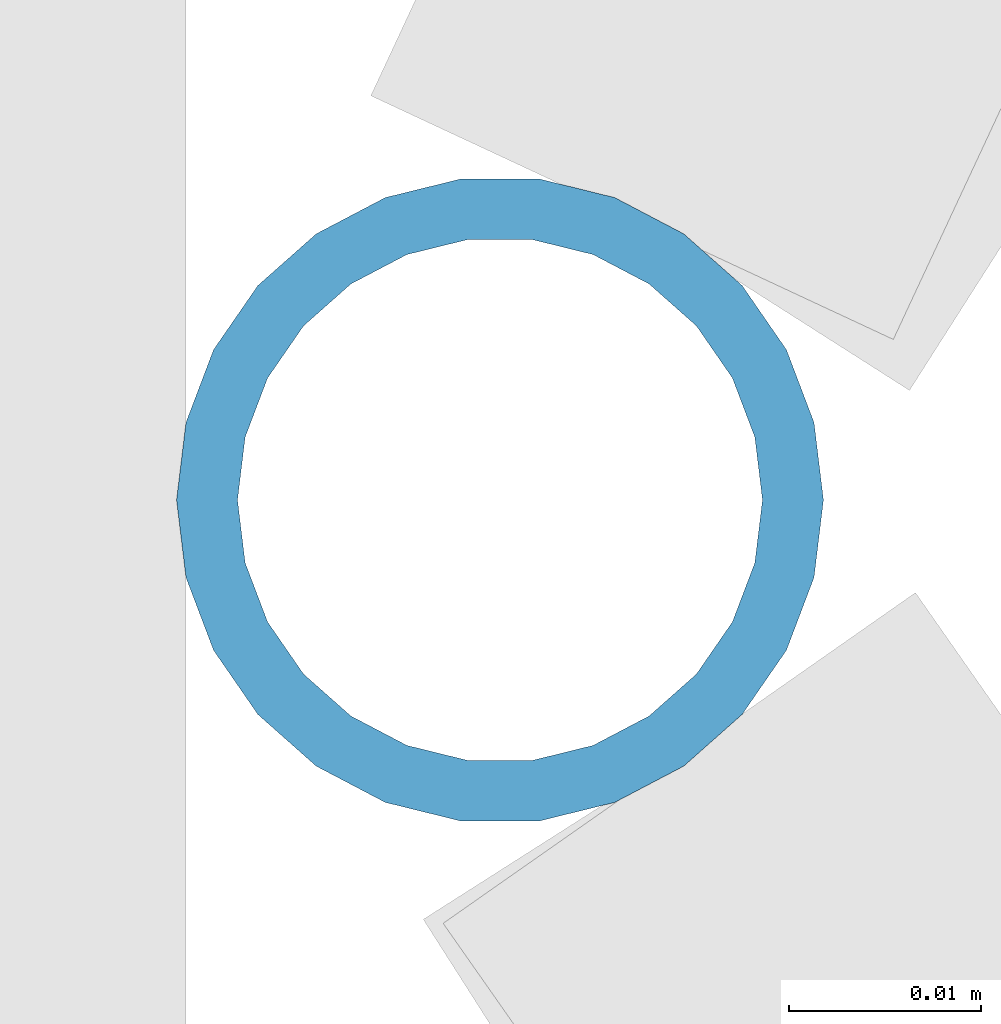
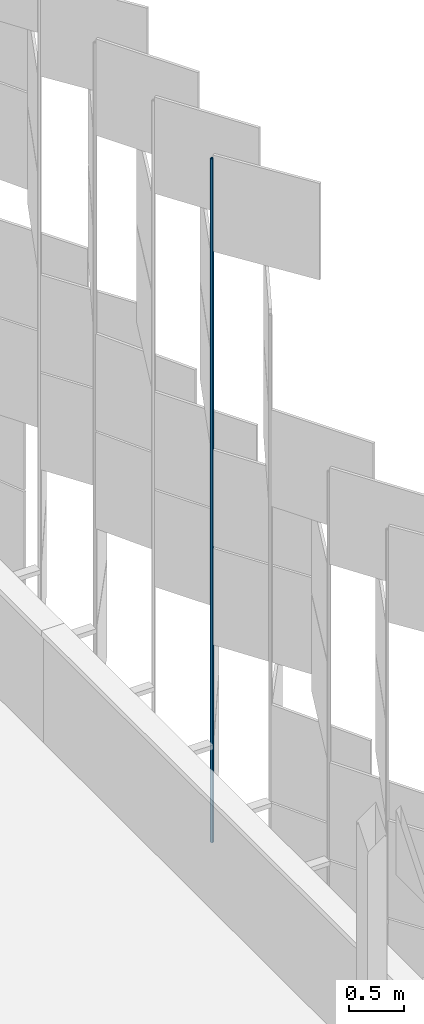
# One storey, part 272 of 483: 1 discrete accessory.
"""IFC4 building model written with IfcOpenShell, lengths in metres."""

from ifc_helpers import new_model, si_unit, direction, frame, origin, origin_2d, place, context, subcontext, project, spatial, hollow_circle, extrude, material, material_profile, profile_set, type_object, element, save


model = new_model("IFC4")

# Units and contexts
model_context = context("Model", 3, precision=1e-05, world=origin(), true_north=direction((0.0, 1.0)))
body_context = subcontext(model_context, "Body", "Model", "MODEL_VIEW")
ifc_project = project(units=[si_unit("LENGTHUNIT", "METRE"), si_unit("AREAUNIT", "SQUARE_METRE"), si_unit("VOLUMEUNIT", "CUBIC_METRE"), si_unit("PLANEANGLEUNIT", "RADIAN"), si_unit("MASSUNIT", "GRAM", prefix="KILO")], contexts=[model_context])

# Site, building, storey
site_placement = place(None, origin())
site = spatial("IfcSite", under=ifc_project, at=site_placement, CompositionType="ELEMENT")
building_placement = place(site_placement, origin())
building = spatial("IfcBuilding", under=site, at=building_placement, Name="Parallax Yard Mobility Hub", CompositionType="ELEMENT")
storey_placement = place(building_placement, frame((0.0, 0.0, 13.199951171875)))
storey = spatial("IfcBuildingStorey", under=building, at=storey_placement, Name="L04", CompositionType="ELEMENT", Elevation=13.199951171875)

# Discrete accessory
ifc_material = material(Name="Steel ASTM A500 Gr C, hot-dip galvanised", Category="steel")
ifc_material_profile = material_profile(ifc_material, hollow_circle(Radius=0.016845703125, WallThickness=0.003173828125, at=origin_2d()), Name="CHS 33.7x3.2")
ifc_profile_set = profile_set([ifc_material_profile], Name="Steel ASTM A500 Gr C, hot-dip galvanised")
discrete_accessory_type = type_object("IfcDiscreteAccessoryType", Name="Hinge post CHS 33.7x3.2", PredefinedType="BRACKET", material=ifc_profile_set)
discrete_accessory_placement = place(storey_placement, frame((225.300048828125, 72.854736328125, 0.0), z_axis=(0.0, 0.0, 1.0), x_axis=(1.0, 0.0, 0.0)))
element("IfcDiscreteAccessory", 1, at=discrete_accessory_placement, inside=storey, type_object=discrete_accessory_type, Name="Hinge post bay 38.6 level L04", PredefinedType="BRACKET", context=body_context, shape_type="SweptSolid", body=[
    extrude(hollow_circle(Radius=0.016845703125, WallThickness=0.003173828125, at=origin_2d()), origin(), (0.0, 0.0, 1.0), 7.650146484375),
])

save(model, "model.ifc")
